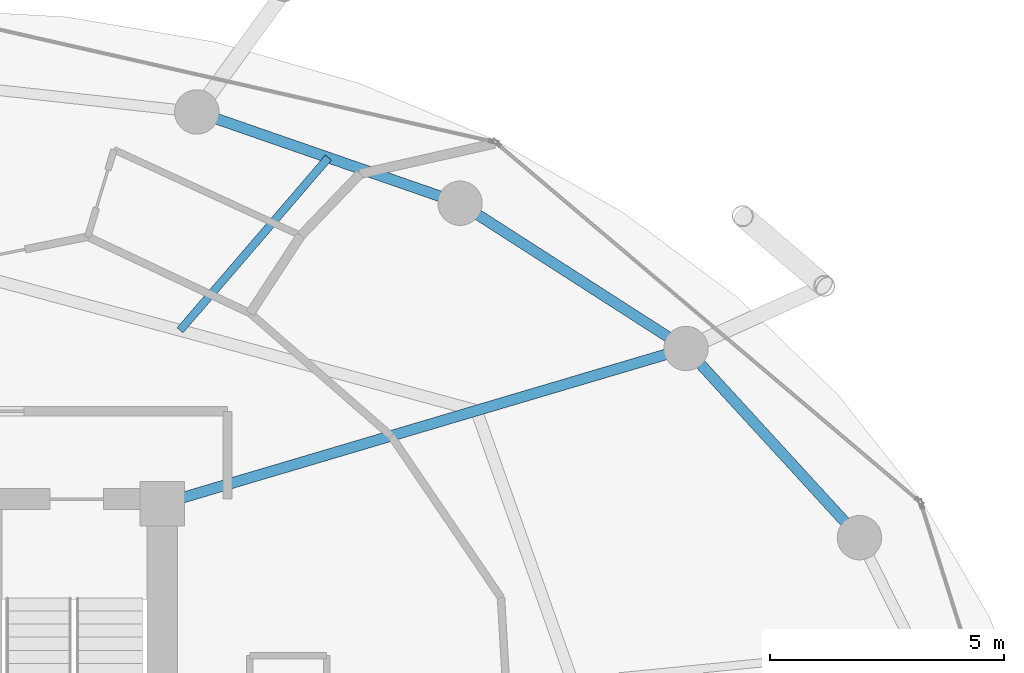
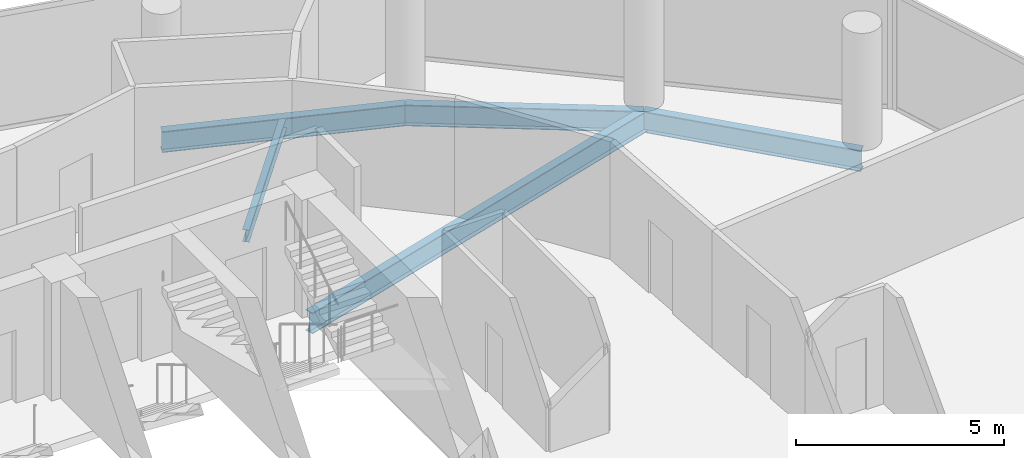
# One storey, part 18 of 26: 5 beams.
"""IFC4 building model written with IfcOpenShell, lengths in metres."""

from ifc_helpers import new_model, si_unit, direction, frame, origin, origin_2d, place, context, subcontext, project, spatial, i_section, extrude, material, material_profile, profile_set, type_object, element, save


model = new_model("IFC4")

# Units and contexts
model_context = context("Model", 3, precision=1e-05, world=origin(), true_north=direction((0.0, 1.0)))
body_context = subcontext(model_context, "Body", "Model", "MODEL_VIEW")
ifc_project = project(units=[si_unit("LENGTHUNIT", "METRE"), si_unit("AREAUNIT", "SQUARE_METRE"), si_unit("VOLUMEUNIT", "CUBIC_METRE"), si_unit("PLANEANGLEUNIT", "RADIAN"), si_unit("MASSUNIT", "GRAM", prefix="KILO")], contexts=[model_context])

# Site, building, storey
site_placement = place(None, origin())
site = spatial("IfcSite", under=ifc_project, at=site_placement, CompositionType="ELEMENT")
building_placement = place(site_placement, origin())
building = spatial("IfcBuilding", under=site, at=building_placement, Name="Nuhasar Tower", CompositionType="ELEMENT")
storey_placement = place(building_placement, frame((0.0, 0.0, 121.949951171875)))
storey = spatial("IfcBuildingStorey", under=building, at=storey_placement, Name="L28", CompositionType="ELEMENT", Elevation=121.949951171875)

# Beams
ifc_material = material(Name="Steel S355", Category="steel")
ifc_material_profile_1 = material_profile(ifc_material, i_section(OverallWidth=0.1708984375, OverallDepth=0.35205078125, WebThickness=0.0068359375, FlangeThickness=0.009765625, at=origin_2d()), Name="W14X30")
ifc_profile_set_1 = profile_set([ifc_material_profile_1], Name="Steel S355")
beam_type_1 = type_object("IfcBeamType", Name="BM-JST-W14X30", PredefinedType="JOIST", material=ifc_profile_set_1)
beam_1_placement = place(storey_placement, frame((44.68408203125, 41.011962890625, -0.426025390625), z_axis=(0.651690621509, 0.758484893612, 0.0), x_axis=(-0.758484893612, 0.651690621509, 0.0)))
element("IfcBeam", 1, at=beam_1_placement, inside=storey, type_object=beam_type_1, Name="L28 Secondary Floor Joist 05", PredefinedType="JOIST", context=body_context, shape_type="SweptSolid", body=[
    extrude(i_section(OverallWidth=0.1708984375, OverallDepth=0.35205078125, WebThickness=0.0068359375, FlangeThickness=0.009765625, at=origin_2d()), origin(), (0.0, 0.0, 1.0), 4.87158203125),
])
ifc_material_profile_2 = material_profile(ifc_material, i_section(OverallWidth=0.22900390625, OverallDepth=0.612060546875, WebThickness=0.011962890625, FlangeThickness=0.01953125, at=origin_2d()), Name="W24X84")
ifc_profile_set_2 = profile_set([ifc_material_profile_2], Name="Steel S355")
beam_type_2 = type_object("IfcBeamType", Name="BM-RAD-W24X84", PredefinedType="BEAM", material=ifc_profile_set_2)
beam_2_placement = place(storey_placement, frame((44.300048828125, 37.300048828125, -0.555908203125), z_axis=(0.958746492721, 0.284262489076, 0.0), x_axis=(-0.284262489076, 0.958746492721, 0.0)))
element("IfcBeam", 2, at=beam_2_placement, inside=storey, type_object=beam_type_2, Name="L28 Radial Floor Girder 05", PredefinedType="BEAM", context=body_context, shape_type="SweptSolid", body=[
    extrude(i_section(OverallWidth=0.22900390625, OverallDepth=0.612060546875, WebThickness=0.011962890625, FlangeThickness=0.01953125, at=origin_2d()), origin(), (0.0, 0.0, 1.0), 11.693359375),
])
ifc_material_profile_3 = material_profile(ifc_material, i_section(OverallWidth=0.22998046875, OverallDepth=0.616943359375, WebThickness=0.01318359375, FlangeThickness=0.022216796875, at=origin_2d()), Name="W24X94")
ifc_profile_set_3 = profile_set([ifc_material_profile_3], Name="Steel S355")
beam_type_3 = type_object("IfcBeamType", Name="BM-RING-W24X94", PredefinedType="SPANDREL", material=ifc_profile_set_3)
beam_3_placement = place(storey_placement, frame((59.221923828125, 36.574951171875, -0.557861328125), z_axis=(-0.675654174897, 0.737218716491, 0.0), x_axis=(-0.737218716491, -0.675654174897, 0.0)))
element("IfcBeam", 3, at=beam_3_placement, inside=storey, type_object=beam_type_3, Name="L28 Perimeter Ring Spandrel 03", PredefinedType="SPANDREL", context=body_context, shape_type="SweptSolid", body=[
    extrude(i_section(OverallWidth=0.22998046875, OverallDepth=0.616943359375, WebThickness=0.01318359375, FlangeThickness=0.022216796875, at=origin_2d()), origin(), (0.0, 0.0, 1.0), 5.492431640625),
])
beam_4_placement = place(storey_placement, frame((55.510986328125, 40.6240234375, -0.557861328125), z_axis=(-0.841327486207, 0.540525726448, 0.0), x_axis=(-0.540525726448, -0.841327486207, 0.0)))
element("IfcBeam", 4, at=beam_4_placement, inside=storey, type_object=beam_type_3, Name="L28 Perimeter Ring Spandrel 04", PredefinedType="SPANDREL", context=body_context, shape_type="SweptSolid", body=[
    extrude(i_section(OverallWidth=0.22998046875, OverallDepth=0.616943359375, WebThickness=0.01318359375, FlangeThickness=0.022216796875, at=origin_2d()), origin(), (0.0, 0.0, 1.0), 5.748046875),
])
beam_5_placement = place(storey_placement, frame((50.675048828125, 43.73095703125, -0.557861328125), z_axis=(-0.944801380051, 0.327643636066, 0.0), x_axis=(-0.327643636066, -0.944801380051, 0.0)))
element("IfcBeam", 5, at=beam_5_placement, inside=storey, type_object=beam_type_3, Name="L28 Perimeter Ring Spandrel 05", PredefinedType="SPANDREL", context=body_context, shape_type="SweptSolid", body=[
    extrude(i_section(OverallWidth=0.22998046875, OverallDepth=0.616943359375, WebThickness=0.01318359375, FlangeThickness=0.022216796875, at=origin_2d()), origin(), (0.0, 0.0, 1.0), 5.961181640625),
])

save(model, "model.ifc")
